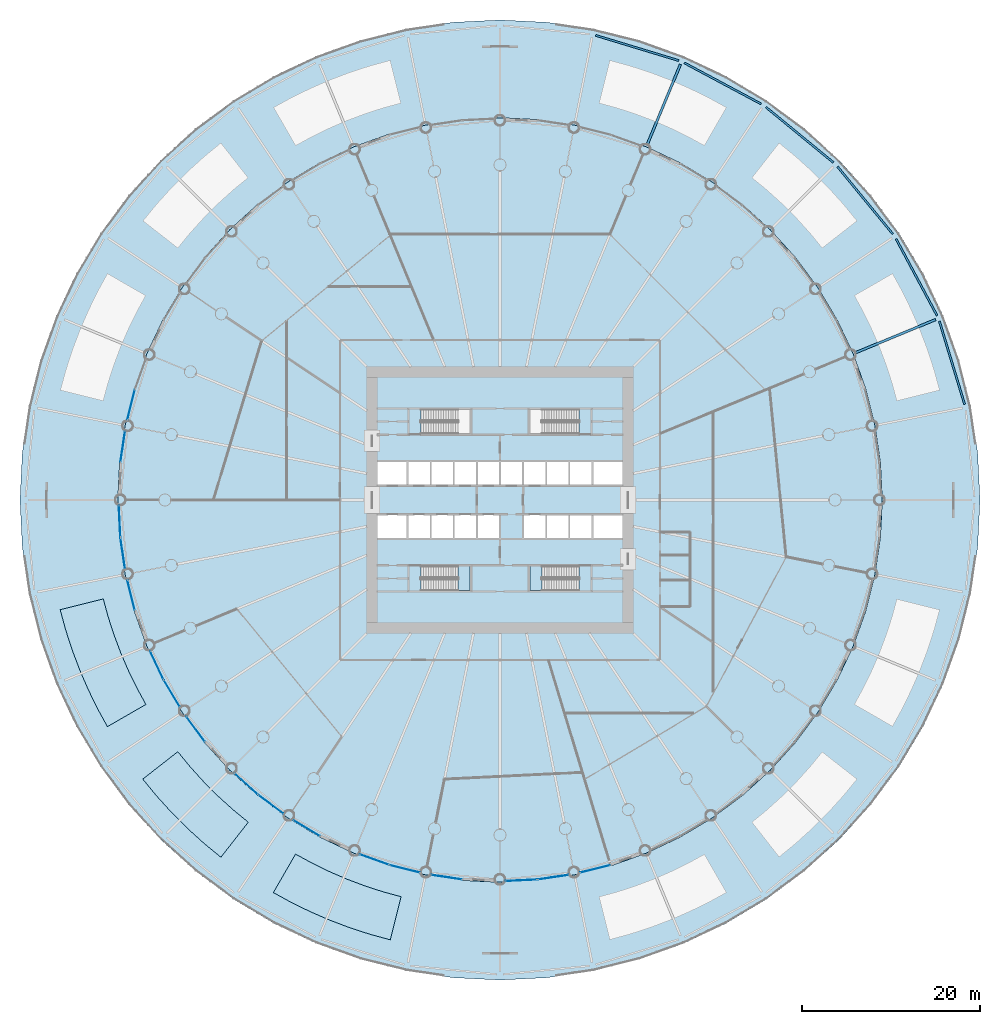
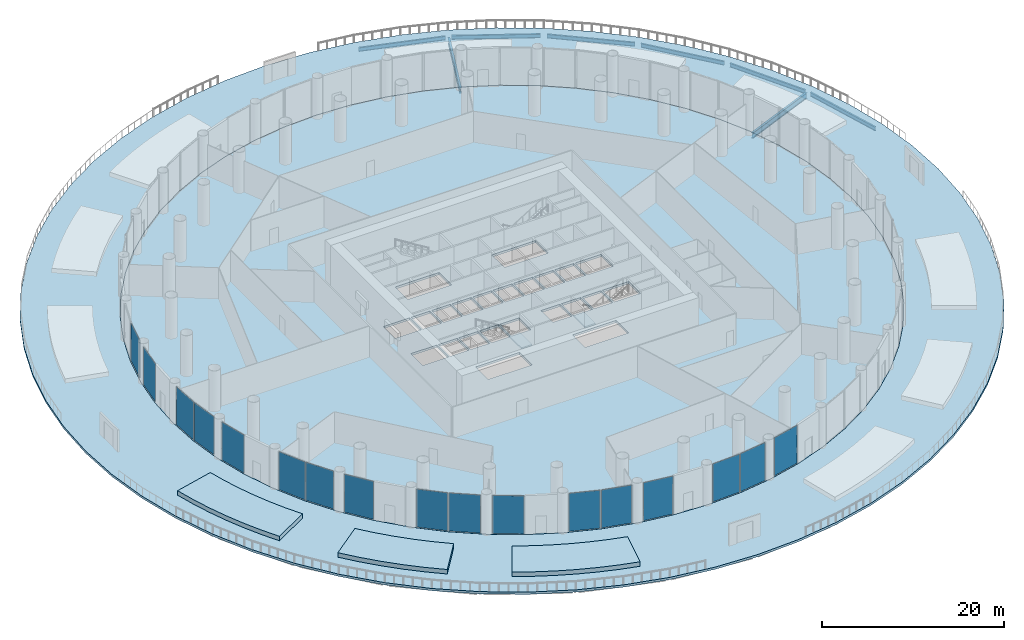
# One storey, part 25 of 36: 17 plates, 8 beams, 7 slabs, 19 elements without a shape of their own.
"""IFC4 building model written with IfcOpenShell, lengths in metres."""

from ifc_helpers import new_model, si_unit, direction, frame, origin, origin_2d, place, context, subcontext, project, spatial, polyline, rectangle, i_section, outline, extrude, material, layer, layer_set, material_profile, profile_set, type_object, element, aggregate, save


model = new_model("IFC4")

# Units and contexts
model_context = context("Model", 3, precision=1e-05, world=origin(), true_north=direction((0.0, 1.0)))
body_context = subcontext(model_context, "Body", "Model", "MODEL_VIEW")
ifc_project = project(units=[si_unit("LENGTHUNIT", "METRE"), si_unit("AREAUNIT", "SQUARE_METRE"), si_unit("VOLUMEUNIT", "CUBIC_METRE"), si_unit("PLANEANGLEUNIT", "RADIAN"), si_unit("MASSUNIT", "GRAM", prefix="KILO")], contexts=[model_context])

# Site, building, storey
site_placement = place(None, origin())
site = spatial("IfcSite", under=ifc_project, at=site_placement, CompositionType="ELEMENT")
building_placement = place(site_placement, origin())
building = spatial("IfcBuilding", under=site, at=building_placement, Name="Corvane Civic Tower", CompositionType="ELEMENT")
storey_placement = place(building_placement, frame((0.0, 0.0, 6.0)))
storey = spatial("IfcBuildingStorey", under=building, at=storey_placement, Name="L01", CompositionType="ELEMENT", Elevation=6.0)

# Beams
ifc_material_1 = material(Name="Steel ASTM A992 Gr 50", Category="steel")
ifc_material_profile_1 = material_profile(ifc_material_1, i_section(OverallWidth=0.2666015625, OverallDepth=0.7568359375, WebThickness=0.013916015625, FlangeThickness=0.019287109375, at=origin_2d()), Name="W30X108")
ifc_profile_set_1 = profile_set([ifc_material_profile_1], Name="Steel ASTM A992 Gr 50")
beam_type_1 = type_object("IfcBeamType", Name="DECK BEAM W30X108", PredefinedType="BEAM", material=ifc_profile_set_1)
for number, where, z_axis, x_axis, name in (
    (1, (16.551025390625, 39.957763671875, -0.678466796875), (0.382681094144, 0.923880501031, 0.0), (-0.923880501031, 0.382681094144, 0.0), "BM-L01-D03"),
    (2, (39.957763671875, 16.551025390625, -0.678466796875), (0.923880501031, 0.382681094144, 0.0), (-0.382681094144, 0.923880501031, 0.0), "BM-L01-D07"),
):
    element("IfcBeam", number, at=place(storey_placement, frame(where, z_axis=z_axis, x_axis=x_axis)), inside=storey, type_object=beam_type_1, Name=name, PredefinedType="BEAM", context=body_context, shape_type="SweptSolid", body=[
        extrude(i_section(OverallWidth=0.2666015625, OverallDepth=0.7568359375, WebThickness=0.013916015625, FlangeThickness=0.019287109375, at=origin_2d()), origin(), (0.0, 0.0, 1.0), 9.7998046875),
    ])
ifc_material_2 = material(Name="Steel ASTM A992 Gr 50", Category="steel")
ifc_material_profile_2 = material_profile(ifc_material_2, i_section(OverallWidth=0.209228515625, OverallDepth=0.533447265625, WebThickness=0.01025390625, FlangeThickness=0.015625, at=origin_2d()), Name="W21X62")
ifc_profile_set_2 = profile_set([ifc_material_profile_2], Name="Steel ASTM A992 Gr 50")
beam_type_2 = type_object("IfcBeamType", Name="EDGE BEAM W21X62", PredefinedType="BEAM", material=ifc_profile_set_2)
for number, where, z_axis, x_axis, name in (
    (3, (10.752685546875, 52.2724609375, -0.566650390625), (0.956937126901, -0.290295255144, 0.0), (0.290295255144, 0.956937126901, 0.0), "BM-L01-H02"),
    (4, (20.743896484375, 49.170166015625, -0.566650390625), (0.881924323833, -0.471391012889, 0.0), (0.471391012889, 0.881924323833, 0.0), "BM-L01-H03"),
    (5, (29.93798828125, 44.178466796875, -0.566650390625), (0.773007687357, -0.634396654537, 0.0), (0.634396654537, 0.773007687357, 0.0), "BM-L01-H04"),
    (6, (37.9814453125, 37.489013671875, -0.566650390625), (0.634396654537, -0.773007687357, 0.0), (0.773007687357, 0.634396654537, 0.0), "BM-L01-H05"),
    (7, (44.5654296875, 29.35888671875, -0.566650390625), (0.471391012889, -0.881924323833, 0.0), (0.881924323833, 0.471391012889, 0.0), "BM-L01-H06"),
    (8, (49.436767578125, 20.100341796875, -0.566650390625), (0.290295255144, -0.956937126901, 0.0), (0.956937126901, 0.290295255144, 0.0), "BM-L01-H07"),
):
    element("IfcBeam", number, at=place(storey_placement, frame(where, z_axis=z_axis, x_axis=x_axis)), inside=storey, type_object=beam_type_2, Name=name, PredefinedType="BEAM", context=body_context, shape_type="SweptSolid", body=[
        extrude(i_section(OverallWidth=0.209228515625, OverallDepth=0.533447265625, WebThickness=0.01025390625, FlangeThickness=0.015625, at=origin_2d()), origin(), (0.0, 0.0, 1.0), 9.768310546875),
    ])

# Slabs
ifc_material_3 = material(Name="Concrete C40/50", Category="concrete")
ifc_layer_1 = layer(ifc_material_3, 0.300048828125)
ifc_layer_set_1 = layer_set([ifc_layer_1], Name="Concrete C40/50")
slab_type_1 = type_object("IfcSlabType", Name="DECK SLAB 300", PredefinedType="ROOF", material=ifc_layer_set_1)
slab_1_placement = place(storey_placement, frame((0.0, 0.0, -0.300048828125)))
element("IfcSlab", 9, at=slab_1_placement, inside=storey, type_object=slab_type_1, Name="SLB-L01-deck", PredefinedType="ROOF", context=body_context, shape_type="SweptSolid", body=[
    extrude(outline(polyline([(0.0, 54.0), (-5.29296875, 53.739990234375), (-10.534912109375, 52.96240234375), (-15.67529296875, 51.6748046875), (-20.664794921875, 49.889404296875), (-25.455322265625, 47.623779296875), (-30.000732421875, 44.8994140625), (-34.25732421875, 41.74267578125), (-38.183837890625, 38.183837890625), (-41.74267578125, 34.25732421875), (-44.8994140625, 30.000732421875), (-47.623779296875, 25.455322265625), (-49.889404296875, 20.664794921875), (-51.6748046875, 15.67529296875), (-52.96240234375, 10.534912109375), (-53.739990234375, 5.29296875), (-54.0, 0.0), (-53.739990234375, -5.29296875), (-52.96240234375, -10.534912109375), (-51.6748046875, -15.67529296875), (-49.889404296875, -20.664794921875), (-47.623779296875, -25.455322265625), (-44.8994140625, -30.000732421875), (-41.74267578125, -34.25732421875), (-38.183837890625, -38.183837890625), (-34.25732421875, -41.74267578125), (-30.000732421875, -44.8994140625), (-25.455322265625, -47.623779296875), (-20.664794921875, -49.889404296875), (-15.67529296875, -51.6748046875), (-10.534912109375, -52.96240234375), (-5.29296875, -53.739990234375), (0.0, -54.0), (5.29296875, -53.739990234375), (10.534912109375, -52.96240234375), (15.67529296875, -51.6748046875), (20.664794921875, -49.889404296875), (25.455322265625, -47.623779296875), (30.000732421875, -44.8994140625), (34.25732421875, -41.74267578125), (38.183837890625, -38.183837890625), (41.74267578125, -34.25732421875), (44.8994140625, -30.000732421875), (47.623779296875, -25.455322265625), (49.889404296875, -20.664794921875), (51.6748046875, -15.67529296875), (52.96240234375, -10.534912109375), (53.739990234375, -5.29296875), (54.0, 0.0), (53.739990234375, 5.29296875), (52.96240234375, 10.534912109375), (51.6748046875, 15.67529296875), (49.889404296875, 20.664794921875), (47.623779296875, 25.455322265625), (44.8994140625, 30.000732421875), (41.74267578125, 34.25732421875), (38.183837890625, 38.183837890625), (34.25732421875, 41.74267578125), (30.000732421875, 44.8994140625), (25.455322265625, 47.623779296875), (20.664794921875, 49.889404296875), (15.67529296875, 51.6748046875), (10.534912109375, 52.96240234375), (5.29296875, 53.739990234375), (0.0, 54.0)]), holes=[polyline([(0.0, 43.0), (-4.21484375, 42.79296875), (-8.388916015625, 42.173828125), (-12.482177734375, 41.1484375), (-16.455322265625, 39.726806640625), (-20.27001953125, 37.922607421875), (-23.889404296875, 35.753173828125), (-27.27880859375, 33.239501953125), (-30.405517578125, 30.405517578125), (-33.239501953125, 27.27880859375), (-35.753173828125, 23.889404296875), (-37.922607421875, 20.27001953125), (-39.726806640625, 16.455322265625), (-41.1484375, 12.482177734375), (-42.173828125, 8.388916015625), (-42.79296875, 4.21484375), (-43.0, 0.0), (-42.79296875, -4.21484375), (-42.173828125, -8.388916015625), (-41.1484375, -12.482177734375), (-39.726806640625, -16.455322265625), (-37.922607421875, -20.27001953125), (-35.753173828125, -23.889404296875), (-33.239501953125, -27.27880859375), (-30.405517578125, -30.405517578125), (-27.27880859375, -33.239501953125), (-23.889404296875, -35.753173828125), (-20.27001953125, -37.922607421875), (-16.455322265625, -39.726806640625), (-12.482177734375, -41.1484375), (-8.388916015625, -42.173828125), (-4.21484375, -42.79296875), (0.0, -43.0), (4.21484375, -42.79296875), (8.388916015625, -42.173828125), (12.482177734375, -41.1484375), (16.455322265625, -39.726806640625), (20.27001953125, -37.922607421875), (23.889404296875, -35.753173828125), (27.27880859375, -33.239501953125), (30.405517578125, -30.405517578125), (33.239501953125, -27.27880859375), (35.753173828125, -23.889404296875), (37.922607421875, -20.27001953125), (39.726806640625, -16.455322265625), (41.1484375, -12.482177734375), (42.173828125, -8.388916015625), (42.79296875, -4.21484375), (43.0, 0.0), (42.79296875, 4.21484375), (42.173828125, 8.388916015625), (41.1484375, 12.482177734375), (39.726806640625, 16.455322265625), (37.922607421875, 20.27001953125), (35.753173828125, 23.889404296875), (33.239501953125, 27.27880859375), (30.405517578125, 30.405517578125), (27.27880859375, 33.239501953125), (23.889404296875, 35.753173828125), (20.27001953125, 37.922607421875), (16.455322265625, 39.726806640625), (12.482177734375, 41.1484375), (8.388916015625, 42.173828125), (4.21484375, 42.79296875), (0.0, 43.0)])]), origin(), (0.0, 0.0, 1.0), 0.300048828125),
])
ifc_material_4 = material(Name="Concrete C40/50", Category="concrete")
ifc_layer_2 = layer(ifc_material_4, 0.300048828125)
ifc_layer_set_2 = layer_set([ifc_layer_2], Name="Concrete C40/50")
slab_type_2 = type_object("IfcSlabType", Name="FLOOR SLAB 300", PredefinedType="FLOOR", material=ifc_layer_set_2)
slab_2_placement = place(storey_placement, frame((0.0, 0.0, -0.300048828125)))
element("IfcSlab", 10, at=slab_2_placement, inside=storey, type_object=slab_type_2, Name="SLB-L01", PredefinedType="FLOOR", context=body_context, shape_type="SweptSolid", body=[
    extrude(outline(polyline([(0.0, 43.0), (-4.21484375, 42.79296875), (-8.388916015625, 42.173828125), (-12.482177734375, 41.1484375), (-16.455322265625, 39.726806640625), (-20.27001953125, 37.922607421875), (-23.889404296875, 35.753173828125), (-27.27880859375, 33.239501953125), (-30.405517578125, 30.405517578125), (-33.239501953125, 27.27880859375), (-35.753173828125, 23.889404296875), (-37.922607421875, 20.27001953125), (-39.726806640625, 16.455322265625), (-41.1484375, 12.482177734375), (-42.173828125, 8.388916015625), (-42.79296875, 4.21484375), (-43.0, 0.0), (-42.79296875, -4.21484375), (-42.173828125, -8.388916015625), (-41.1484375, -12.482177734375), (-39.726806640625, -16.455322265625), (-37.922607421875, -20.27001953125), (-35.753173828125, -23.889404296875), (-33.239501953125, -27.27880859375), (-30.405517578125, -30.405517578125), (-27.27880859375, -33.239501953125), (-23.889404296875, -35.753173828125), (-20.27001953125, -37.922607421875), (-16.455322265625, -39.726806640625), (-12.482177734375, -41.1484375), (-8.388916015625, -42.173828125), (-4.21484375, -42.79296875), (0.0, -43.0), (4.21484375, -42.79296875), (8.388916015625, -42.173828125), (12.482177734375, -41.1484375), (16.455322265625, -39.726806640625), (20.27001953125, -37.922607421875), (23.889404296875, -35.753173828125), (27.27880859375, -33.239501953125), (30.405517578125, -30.405517578125), (33.239501953125, -27.27880859375), (35.753173828125, -23.889404296875), (37.922607421875, -20.27001953125), (39.726806640625, -16.455322265625), (41.1484375, -12.482177734375), (42.173828125, -8.388916015625), (42.79296875, -4.21484375), (43.0, 0.0), (42.79296875, 4.21484375), (42.173828125, 8.388916015625), (41.1484375, 12.482177734375), (39.726806640625, 16.455322265625), (37.922607421875, 20.27001953125), (35.753173828125, 23.889404296875), (33.239501953125, 27.27880859375), (30.405517578125, 30.405517578125), (27.27880859375, 33.239501953125), (23.889404296875, 35.753173828125), (20.27001953125, 37.922607421875), (16.455322265625, 39.726806640625), (12.482177734375, 41.1484375), (8.388916015625, 42.173828125), (4.21484375, 42.79296875), (0.0, 43.0)]), holes=[polyline([(-13.800048828125, 4.300048828125), (-10.5, 4.300048828125), (-10.5, 1.699951171875), (-13.800048828125, 1.699951171875), (-13.800048828125, 4.300048828125)]), polyline([(-7.89990234375, 1.699951171875), (-10.300048828125, 1.699951171875), (-10.300048828125, 4.300048828125), (-7.89990234375, 4.300048828125), (-7.89990234375, 1.699951171875)]), polyline([(-7.699951171875, 4.300048828125), (-5.300048828125, 4.300048828125), (-5.300048828125, 1.699951171875), (-7.699951171875, 1.699951171875), (-7.699951171875, 4.300048828125)]), polyline([(-5.10009765625, 4.300048828125), (-2.699951171875, 4.300048828125), (-2.699951171875, 1.699951171875), (-5.10009765625, 1.699951171875), (-5.10009765625, 4.300048828125)]), polyline([(-0.10009765625, 1.699951171875), (-2.5, 1.699951171875), (-2.5, 4.300048828125), (-0.10009765625, 4.300048828125), (-0.10009765625, 1.699951171875)]), polyline([(2.5, 1.699951171875), (0.10009765625, 1.699951171875), (0.10009765625, 4.300048828125), (2.5, 4.300048828125), (2.5, 1.699951171875)]), polyline([(5.10009765625, 1.699951171875), (2.699951171875, 1.699951171875), (2.699951171875, 4.300048828125), (5.10009765625, 4.300048828125), (5.10009765625, 1.699951171875)]), polyline([(5.300048828125, 4.300048828125), (7.699951171875, 4.300048828125), (7.699951171875, 1.699951171875), (5.300048828125, 1.699951171875), (5.300048828125, 4.300048828125)]), polyline([(7.89990234375, 4.300048828125), (10.300048828125, 4.300048828125), (10.300048828125, 1.699951171875), (7.89990234375, 1.699951171875), (7.89990234375, 4.300048828125)]), polyline([(13.800048828125, 1.699951171875), (10.5, 1.699951171875), (10.5, 4.300048828125), (13.800048828125, 4.300048828125), (13.800048828125, 1.699951171875)]), polyline([(-13.800048828125, -1.699951171875), (-10.5, -1.699951171875), (-10.5, -4.300048828125), (-13.800048828125, -4.300048828125), (-13.800048828125, -1.699951171875)]), polyline([(-7.89990234375, -1.699951171875), (-7.89990234375, -4.300048828125), (-10.300048828125, -4.300048828125), (-10.300048828125, -1.699951171875), (-7.89990234375, -1.699951171875)]), polyline([(-5.300048828125, -1.699951171875), (-5.300048828125, -4.300048828125), (-7.699951171875, -4.300048828125), (-7.699951171875, -1.699951171875), (-5.300048828125, -1.699951171875)]), polyline([(-2.699951171875, -1.699951171875), (-2.699951171875, -4.300048828125), (-5.10009765625, -4.300048828125), (-5.10009765625, -1.699951171875), (-2.699951171875, -1.699951171875)]), polyline([(-2.5, -4.300048828125), (-2.5, -1.699951171875), (-0.10009765625, -1.699951171875), (-0.10009765625, -4.300048828125), (-2.5, -4.300048828125)]), polyline([(5.10009765625, -1.699951171875), (5.10009765625, -4.300048828125), (2.699951171875, -4.300048828125), (2.699951171875, -1.699951171875), (5.10009765625, -1.699951171875)]), polyline([(7.699951171875, -1.699951171875), (7.699951171875, -4.300048828125), (5.300048828125, -4.300048828125), (5.300048828125, -1.699951171875), (7.699951171875, -1.699951171875)]), polyline([(10.300048828125, -1.699951171875), (10.300048828125, -4.300048828125), (7.89990234375, -4.300048828125), (7.89990234375, -1.699951171875), (10.300048828125, -1.699951171875)]), polyline([(13.800048828125, -4.300048828125), (10.5, -4.300048828125), (10.5, -1.699951171875), (13.800048828125, -1.699951171875), (13.800048828125, -4.300048828125)]), polyline([(8.889892578125, 10.199951171875), (8.889892578125, 7.449951171875), (3.35009765625, 7.449951171875), (3.35009765625, 10.199951171875), (8.889892578125, 10.199951171875)]), polyline([(-8.889892578125, 7.449951171875), (-8.889892578125, 10.199951171875), (-3.35009765625, 10.199951171875), (-3.35009765625, 7.449951171875), (-8.889892578125, 7.449951171875)]), polyline([(8.889892578125, -7.449951171875), (8.889892578125, -10.199951171875), (3.35009765625, -10.199951171875), (3.35009765625, -7.449951171875), (8.889892578125, -7.449951171875)]), polyline([(-8.889892578125, -10.199951171875), (-8.889892578125, -7.449951171875), (-3.35009765625, -7.449951171875), (-3.35009765625, -10.199951171875), (-8.889892578125, -10.199951171875)])]), origin(), (0.0, 0.0, 1.0), 0.300048828125),
])

# Curtain wall, plate
ifc_material_5 = material(Name="Aluminium and glass", Category="aluminium")
curtain_wall_type = type_object("IfcCurtainWallType", Name="PODIUM-CW-P-RUN", PredefinedType="NOTDEFINED", material=ifc_material_5)
curtain_wall_1_placement = place(storey_placement, origin())
curtain_wall_1 = element("IfcCurtainWall", 11, at=curtain_wall_1_placement, inside=storey, type_object=curtain_wall_type, Name="PODI run L01-drum-15B", PredefinedType="NOTDEFINED")
ifc_material_6 = material(Name="Glass tinted low-e laminated", Category="glass")
ifc_layer_3 = layer(ifc_material_6, 0.031982421875)
ifc_layer_set_3 = layer_set([ifc_layer_3], Name="Glass tinted low-e laminated")
plate_type = type_object("IfcPlateType", Name="PODIUM-CWP-PANEL-IGU32", PredefinedType="CURTAIN_PANEL", material=ifc_layer_set_3)
plate_1_placement = place(storey_placement, frame((10.70458984375, -41.5009765625, 0.06005859375), z_axis=(0.0, 0.0, 1.0), x_axis=(-0.970024070659, -0.243008852393, 0.0)))
plate_1 = element("IfcPlate", 12, at=plate_1_placement, type_object=plate_type, Name="CW-P panel 1.1", PredefinedType="CURTAIN_PANEL", context=body_context, shape_type="SweptSolid", body=[
    extrude(rectangle(XDim=3.459716796875, YDim=0.031982421875, at=origin_2d()), origin(), (0.0, 0.0, 1.0), 5.080078125),
])
aggregate(curtain_wall_1, [plate_1])

curtain_wall_2_placement = place(storey_placement, origin())
curtain_wall_2 = element("IfcCurtainWall", 13, at=curtain_wall_2_placement, inside=storey, type_object=curtain_wall_type, Name="PODI run L01-drum-16A", PredefinedType="NOTDEFINED")
plate_2_placement = place(storey_placement, frame((5.991943359375, -42.4384765625, 0.06005859375), z_axis=(0.0, 0.0, 1.0), x_axis=(-0.989178850608, -0.146714694252, 0.0)))
plate_2 = element("IfcPlate", 14, at=plate_2_placement, type_object=plate_type, Name="CW-P panel 1.1", PredefinedType="CURTAIN_PANEL", context=body_context, shape_type="SweptSolid", body=[
    extrude(rectangle(XDim=3.459716796875, YDim=0.031982421875, at=origin_2d()), origin(), (0.0, 0.0, 1.0), 5.080078125),
])
aggregate(curtain_wall_2, [plate_2])

curtain_wall_3_placement = place(storey_placement, origin())
curtain_wall_3 = element("IfcCurtainWall", 15, at=curtain_wall_3_placement, inside=storey, type_object=curtain_wall_type, Name="PODI run L01-drum-16B", PredefinedType="NOTDEFINED")
plate_3_placement = place(storey_placement, frame((2.402587890625, -42.7919921875, 0.06005859375), z_axis=(0.0, 0.0, 1.0), x_axis=(-0.998796316803, -0.04905015332, 0.0)))
plate_3 = element("IfcPlate", 16, at=plate_3_placement, type_object=plate_type, Name="CW-P panel 1.1", PredefinedType="CURTAIN_PANEL", context=body_context, shape_type="SweptSolid", body=[
    extrude(rectangle(XDim=3.4599609375, YDim=0.031982421875, at=origin_2d()), origin(), (0.0, 0.0, 1.0), 5.080078125),
])
aggregate(curtain_wall_3, [plate_3])

curtain_wall_4_placement = place(storey_placement, origin())
curtain_wall_4 = element("IfcCurtainWall", 17, at=curtain_wall_4_placement, inside=storey, type_object=curtain_wall_type, Name="PODI run L01-drum-17B", PredefinedType="NOTDEFINED")
plate_4_placement = place(storey_placement, frame((-5.991943359375, -42.4384765625, 0.06005859375), z_axis=(0.0, 0.0, 1.0), x_axis=(-0.989178850608, 0.146714694252, 0.0)))
plate_4 = element("IfcPlate", 18, at=plate_4_placement, type_object=plate_type, Name="CW-P panel 1.1", PredefinedType="CURTAIN_PANEL", context=body_context, shape_type="SweptSolid", body=[
    extrude(rectangle(XDim=3.459716796875, YDim=0.031982421875, at=origin_2d()), origin(), (0.0, 0.0, 1.0), 5.080078125),
])
aggregate(curtain_wall_4, [plate_4])

curtain_wall_5_placement = place(storey_placement, origin())
curtain_wall_5 = element("IfcCurtainWall", 19, at=curtain_wall_5_placement, inside=storey, type_object=curtain_wall_type, Name="PODI run L01-drum-18A", PredefinedType="NOTDEFINED")
plate_5_placement = place(storey_placement, frame((-10.70458984375, -41.5009765625, 0.06005859375), z_axis=(0.0, 0.0, 1.0), x_axis=(-0.970024070659, 0.243008852393, 0.0)))
plate_5 = element("IfcPlate", 20, at=plate_5_placement, type_object=plate_type, Name="CW-P panel 1.1", PredefinedType="CURTAIN_PANEL", context=body_context, shape_type="SweptSolid", body=[
    extrude(rectangle(XDim=3.459716796875, YDim=0.031982421875, at=origin_2d()), origin(), (0.0, 0.0, 1.0), 5.080078125),
])
aggregate(curtain_wall_5, [plate_5])

curtain_wall_6_placement = place(storey_placement, origin())
curtain_wall_6 = element("IfcCurtainWall", 21, at=curtain_wall_6_placement, inside=storey, type_object=curtain_wall_type, Name="PODI run L01-drum-18B", PredefinedType="NOTDEFINED")
plate_6_placement = place(storey_placement, frame((-14.156005859375, -40.453857421875, 0.06005859375), z_axis=(0.0, 0.0, 1.0), x_axis=(-0.941533802561, 0.336918534123, 0.0)))
plate_6 = element("IfcPlate", 22, at=plate_6_placement, type_object=plate_type, Name="CW-P panel 1.1", PredefinedType="CURTAIN_PANEL", context=body_context, shape_type="SweptSolid", body=[
    extrude(rectangle(XDim=3.459716796875, YDim=0.031982421875, at=origin_2d()), origin(), (0.0, 0.0, 1.0), 5.080078125),
])
aggregate(curtain_wall_6, [plate_6])

curtain_wall_7_placement = place(storey_placement, origin())
curtain_wall_7 = element("IfcCurtainWall", 23, at=curtain_wall_7_placement, inside=storey, type_object=curtain_wall_type, Name="PODI run L01-drum-19B", PredefinedType="NOTDEFINED")
plate_7_placement = place(storey_placement, frame((-21.776123046875, -36.914794921875, 0.06005859375), z_axis=(0.0, 0.0, 1.0), x_axis=(-0.857719609779, 0.514117759857, 0.0)))
plate_7 = element("IfcPlate", 24, at=plate_7_placement, type_object=plate_type, Name="CW-P panel 1.1", PredefinedType="CURTAIN_PANEL", context=body_context, shape_type="SweptSolid", body=[
    extrude(rectangle(XDim=3.459716796875, YDim=0.031982421875, at=origin_2d()), origin(), (0.0, 0.0, 1.0), 5.080078125),
])
aggregate(curtain_wall_7, [plate_7])

curtain_wall_8_placement = place(storey_placement, origin())
curtain_wall_8 = element("IfcCurtainWall", 25, at=curtain_wall_8_placement, inside=storey, type_object=curtain_wall_type, Name="PODI run L01-drum-20A", PredefinedType="NOTDEFINED")
plate_8_placement = place(storey_placement, frame((-25.771484375, -34.245361328125, 0.06005859375), z_axis=(0.0, 0.0, 1.0), x_axis=(-0.803203229747, 0.595705104665, 0.0)))
plate_8 = element("IfcPlate", 26, at=plate_8_placement, type_object=plate_type, Name="CW-P panel 1.1", PredefinedType="CURTAIN_PANEL", context=body_context, shape_type="SweptSolid", body=[
    extrude(rectangle(XDim=3.459716796875, YDim=0.031982421875, at=origin_2d()), origin(), (0.0, 0.0, 1.0), 5.080078125),
])
aggregate(curtain_wall_8, [plate_8])

curtain_wall_9_placement = place(storey_placement, origin())
curtain_wall_9 = element("IfcCurtainWall", 27, at=curtain_wall_9_placement, inside=storey, type_object=curtain_wall_type, Name="PODI run L01-drum-20B", PredefinedType="NOTDEFINED")
plate_9_placement = place(storey_placement, frame((-28.5595703125, -31.957275390625, 0.06005859375), z_axis=(0.0, 0.0, 1.0), x_axis=(-0.740935261089, 0.671576457952, 0.0)))
plate_9 = element("IfcPlate", 28, at=plate_9_placement, type_object=plate_type, Name="CW-P panel 1.1", PredefinedType="CURTAIN_PANEL", context=body_context, shape_type="SweptSolid", body=[
    extrude(rectangle(XDim=3.4599609375, YDim=0.031982421875, at=origin_2d()), origin(), (0.0, 0.0, 1.0), 5.080078125),
])
aggregate(curtain_wall_9, [plate_9])

curtain_wall_10_placement = place(storey_placement, origin())
curtain_wall_10 = element("IfcCurtainWall", 29, at=curtain_wall_10_placement, inside=storey, type_object=curtain_wall_type, Name="PODI run L01-drum-21B", PredefinedType="NOTDEFINED")
plate_10_placement = place(storey_placement, frame((-34.245361328125, -25.771484375, 0.06005859375), z_axis=(0.0, 0.0, 1.0), x_axis=(-0.595705104665, 0.803203229747, 0.0)))
plate_10 = element("IfcPlate", 30, at=plate_10_placement, type_object=plate_type, Name="CW-P panel 1.1", PredefinedType="CURTAIN_PANEL", context=body_context, shape_type="SweptSolid", body=[
    extrude(rectangle(XDim=3.459716796875, YDim=0.031982421875, at=origin_2d()), origin(), (0.0, 0.0, 1.0), 5.080078125),
])
aggregate(curtain_wall_10, [plate_10])

curtain_wall_11_placement = place(storey_placement, origin())
curtain_wall_11 = element("IfcCurtainWall", 31, at=curtain_wall_11_placement, inside=storey, type_object=curtain_wall_type, Name="PODI run L01-drum-22A", PredefinedType="NOTDEFINED")
plate_11_placement = place(storey_placement, frame((-36.914794921875, -21.776123046875, 0.06005859375), z_axis=(0.0, 0.0, 1.0), x_axis=(-0.514117759857, 0.857719609779, 0.0)))
plate_11 = element("IfcPlate", 32, at=plate_11_placement, type_object=plate_type, Name="CW-P panel 1.1", PredefinedType="CURTAIN_PANEL", context=body_context, shape_type="SweptSolid", body=[
    extrude(rectangle(XDim=3.459716796875, YDim=0.031982421875, at=origin_2d()), origin(), (0.0, 0.0, 1.0), 5.080078125),
])
aggregate(curtain_wall_11, [plate_11])

curtain_wall_12_placement = place(storey_placement, origin())
curtain_wall_12 = element("IfcCurtainWall", 33, at=curtain_wall_12_placement, inside=storey, type_object=curtain_wall_type, Name="PODI run L01-drum-22B", PredefinedType="NOTDEFINED")
plate_12_placement = place(storey_placement, frame((-38.614990234375, -18.595458984375, 0.06005859375), z_axis=(0.0, 0.0, 1.0), x_axis=(-0.42755312852, 0.903990222454, 0.0)))
plate_12 = element("IfcPlate", 34, at=plate_12_placement, type_object=plate_type, Name="CW-P panel 1.1", PredefinedType="CURTAIN_PANEL", context=body_context, shape_type="SweptSolid", body=[
    extrude(rectangle(XDim=3.4599609375, YDim=0.031982421875, at=origin_2d()), origin(), (0.0, 0.0, 1.0), 5.080078125),
])
aggregate(curtain_wall_12, [plate_12])

curtain_wall_13_placement = place(storey_placement, origin())
curtain_wall_13 = element("IfcCurtainWall", 35, at=curtain_wall_13_placement, inside=storey, type_object=curtain_wall_type, Name="PODI run L01-drum-23B", PredefinedType="NOTDEFINED")
plate_13_placement = place(storey_placement, frame((-41.5009765625, -10.70458984375, 0.06005859375), z_axis=(0.0, 0.0, 1.0), x_axis=(-0.243008852393, 0.970024070659, 0.0)))
plate_13 = element("IfcPlate", 36, at=plate_13_placement, type_object=plate_type, Name="CW-P panel 1.1", PredefinedType="CURTAIN_PANEL", context=body_context, shape_type="SweptSolid", body=[
    extrude(rectangle(XDim=3.459716796875, YDim=0.031982421875, at=origin_2d()), origin(), (0.0, 0.0, 1.0), 5.080078125),
])
aggregate(curtain_wall_13, [plate_13])

curtain_wall_14_placement = place(storey_placement, origin())
curtain_wall_14 = element("IfcCurtainWall", 37, at=curtain_wall_14_placement, inside=storey, type_object=curtain_wall_type, Name="PODI run L01-drum-24A", PredefinedType="NOTDEFINED")
plate_14_placement = place(storey_placement, frame((-42.4384765625, -5.991943359375, 0.06005859375), z_axis=(0.0, 0.0, 1.0), x_axis=(-0.146714694252, 0.989178850608, 0.0)))
plate_14 = element("IfcPlate", 38, at=plate_14_placement, type_object=plate_type, Name="CW-P panel 1.1", PredefinedType="CURTAIN_PANEL", context=body_context, shape_type="SweptSolid", body=[
    extrude(rectangle(XDim=3.459716796875, YDim=0.031982421875, at=origin_2d()), origin(), (0.0, 0.0, 1.0), 5.080078125),
])
aggregate(curtain_wall_14, [plate_14])

curtain_wall_15_placement = place(storey_placement, origin())
curtain_wall_15 = element("IfcCurtainWall", 39, at=curtain_wall_15_placement, inside=storey, type_object=curtain_wall_type, Name="PODI run L01-drum-24B", PredefinedType="NOTDEFINED")
plate_15_placement = place(storey_placement, frame((-42.7919921875, -2.402587890625, 0.06005859375), z_axis=(0.0, 0.0, 1.0), x_axis=(-0.04905015332, 0.998796316803, 0.0)))
plate_15 = element("IfcPlate", 40, at=plate_15_placement, type_object=plate_type, Name="CW-P panel 1.1", PredefinedType="CURTAIN_PANEL", context=body_context, shape_type="SweptSolid", body=[
    extrude(rectangle(XDim=3.4599609375, YDim=0.031982421875, at=origin_2d()), origin(), (0.0, 0.0, 1.0), 5.080078125),
])
aggregate(curtain_wall_15, [plate_15])

curtain_wall_16_placement = place(storey_placement, origin())
curtain_wall_16 = element("IfcCurtainWall", 41, at=curtain_wall_16_placement, inside=storey, type_object=curtain_wall_type, Name="PODI run L01-drum-25B", PredefinedType="NOTDEFINED")
plate_16_placement = place(storey_placement, frame((-42.4384765625, 5.991943359375, 0.06005859375), z_axis=(0.0, 0.0, 1.0), x_axis=(0.146714694252, 0.989178850608, 0.0)))
plate_16 = element("IfcPlate", 42, at=plate_16_placement, type_object=plate_type, Name="CW-P panel 1.1", PredefinedType="CURTAIN_PANEL", context=body_context, shape_type="SweptSolid", body=[
    extrude(rectangle(XDim=3.459716796875, YDim=0.031982421875, at=origin_2d()), origin(), (0.0, 0.0, 1.0), 5.080078125),
])
aggregate(curtain_wall_16, [plate_16])

curtain_wall_17_placement = place(storey_placement, origin())
curtain_wall_17 = element("IfcCurtainWall", 43, at=curtain_wall_17_placement, inside=storey, type_object=curtain_wall_type, Name="PODI run L01-drum-26A", PredefinedType="NOTDEFINED")
plate_17_placement = place(storey_placement, frame((-41.5009765625, 10.70458984375, 0.06005859375), z_axis=(0.0, 0.0, 1.0), x_axis=(0.243008852393, 0.970024070659, 0.0)))
plate_17 = element("IfcPlate", 44, at=plate_17_placement, type_object=plate_type, Name="CW-P panel 1.1", PredefinedType="CURTAIN_PANEL", context=body_context, shape_type="SweptSolid", body=[
    extrude(rectangle(XDim=3.459716796875, YDim=0.031982421875, at=origin_2d()), origin(), (0.0, 0.0, 1.0), 5.080078125),
])
aggregate(curtain_wall_17, [plate_17])

# Slabs
ifc_material_7 = material(Name="Concrete C30/37", Category="concrete")
ifc_layer_4 = layer(ifc_material_7, 0.60009765625)
ifc_layer_set_4 = layer_set([ifc_layer_4], Name="Concrete C30/37")
slab_type_3 = type_object("IfcSlabType", Name="PODIUM-SL-PLANTER-600", PredefinedType="USERDEFINED", material=ifc_layer_set_4)
slab_3_placement = place(storey_placement, origin())
element("IfcSlab", 45, at=slab_3_placement, inside=storey, type_object=slab_type_3, Name="Garden planter 7", ObjectType="PLANTER", PredefinedType="USERDEFINED", context=body_context, shape_type="SweptSolid", body=[
    extrude(outline(polyline([(-49.485107421875, -12.338134765625), (-48.857421875, -14.626953125), (-48.1240234375, -16.88427734375), (-47.286376953125, -19.10498046875), (-46.34619140625, -21.2841796875), (-45.305908203125, -23.41748046875), (-44.167236328125, -25.5), (-39.837158203125, -23.0), (-40.864013671875, -21.12158203125), (-41.802490234375, -19.197509765625), (-42.650390625, -17.23193359375), (-43.406005859375, -15.22900390625), (-44.067626953125, -13.19287109375), (-44.633544921875, -11.12841796875), (-49.485107421875, -12.338134765625)])), origin(), (0.0, 0.0, 1.0), 0.60009765625),
])
slab_4_placement = place(storey_placement, origin())
element("IfcSlab", 46, at=slab_4_placement, inside=storey, type_object=slab_type_3, Name="Garden planter 8", ObjectType="PLANTER", PredefinedType="USERDEFINED", context=body_context, shape_type="SweptSolid", body=[
    extrude(outline(polyline([(-40.1884765625, -31.398681640625), (-38.606689453125, -33.324462890625), (-36.932861328125, -35.170654296875), (-35.170654296875, -36.932861328125), (-33.324462890625, -38.606689453125), (-31.398681640625, -40.1884765625), (-28.3203125, -36.24853515625), (-30.057373046875, -34.82177734375), (-31.722412109375, -33.31201171875), (-33.31201171875, -31.722412109375), (-34.82177734375, -30.057373046875), (-36.24853515625, -28.3203125), (-40.1884765625, -31.398681640625)])), origin(), (0.0, 0.0, 1.0), 0.60009765625),
])
slab_5_placement = place(storey_placement, origin())
element("IfcSlab", 47, at=slab_5_placement, inside=storey, type_object=slab_type_3, Name="Garden planter 9", ObjectType="PLANTER", PredefinedType="USERDEFINED", context=body_context, shape_type="SweptSolid", body=[
    extrude(outline(polyline([(-25.5, -44.167236328125), (-23.41748046875, -45.305908203125), (-21.2841796875, -46.34619140625), (-19.10498046875, -47.286376953125), (-16.88427734375, -48.1240234375), (-14.626953125, -48.857421875), (-12.338134765625, -49.485107421875), (-11.12841796875, -44.633544921875), (-13.19287109375, -44.067626953125), (-15.22900390625, -43.406005859375), (-17.23193359375, -42.650390625), (-19.197509765625, -41.802490234375), (-21.12158203125, -40.864013671875), (-23.0, -39.837158203125), (-25.5, -44.167236328125)])), origin(), (0.0, 0.0, 1.0), 0.60009765625),
])

# Stair, slab
ifc_material_8 = material(Name="Concrete C40/50", Category="concrete")
stair_type = type_object("IfcStairType", Name="ST-STAIR-HALFTURN", PredefinedType="HALF_TURN_STAIR", material=ifc_material_8)
stair_1_placement = place(storey_placement, origin())
stair_1 = element("IfcStair", 48, at=stair_1_placement, inside=storey, type_object=stair_type, Name="L01 Exit stair ST2", PredefinedType="HALF_TURN_STAIR")
ifc_material_9 = material(Name="Concrete C40/50", Category="concrete")
ifc_layer_5 = layer(ifc_material_9, 0.199951171875)
ifc_layer_set_5 = layer_set([ifc_layer_5], Name="Concrete C40/50")
slab_type_4 = type_object("IfcSlabType", Name="ST-LANDING-RC", PredefinedType="LANDING", material=ifc_layer_set_5)
slab_6_placement = place(storey_placement, frame((0.0, 0.0, 2.550048828125)))
slab_6 = element("IfcSlab", 49, at=slab_6_placement, type_object=slab_type_4, Name="ST2 landing 1", PredefinedType="LANDING", context=body_context, shape_type="SweptSolid", body=[
    extrude(outline(polyline([(4.699951171875, -7.449951171875), (3.35009765625, -7.449951171875), (3.35009765625, -10.199951171875), (4.699951171875, -10.199951171875), (4.699951171875, -7.449951171875)])), origin(), (0.0, 0.0, 1.0), 0.199951171875),
])
aggregate(stair_1, [slab_6])

stair_2_placement = place(storey_placement, origin())
stair_2 = element("IfcStair", 50, at=stair_2_placement, inside=storey, type_object=stair_type, Name="L01 Exit stair ST3", PredefinedType="HALF_TURN_STAIR")
slab_7_placement = place(storey_placement, frame((0.0, 0.0, 2.550048828125)))
slab_7 = element("IfcSlab", 51, at=slab_7_placement, type_object=slab_type_4, Name="ST3 landing 1", PredefinedType="LANDING", context=body_context, shape_type="SweptSolid", body=[
    extrude(outline(polyline([(-4.699951171875, -10.199951171875), (-3.35009765625, -10.199951171875), (-3.35009765625, -7.449951171875), (-4.699951171875, -7.449951171875), (-4.699951171875, -10.199951171875)])), origin(), (0.0, 0.0, 1.0), 0.199951171875),
])
aggregate(stair_2, [slab_7])

save(model, "model.ifc")
